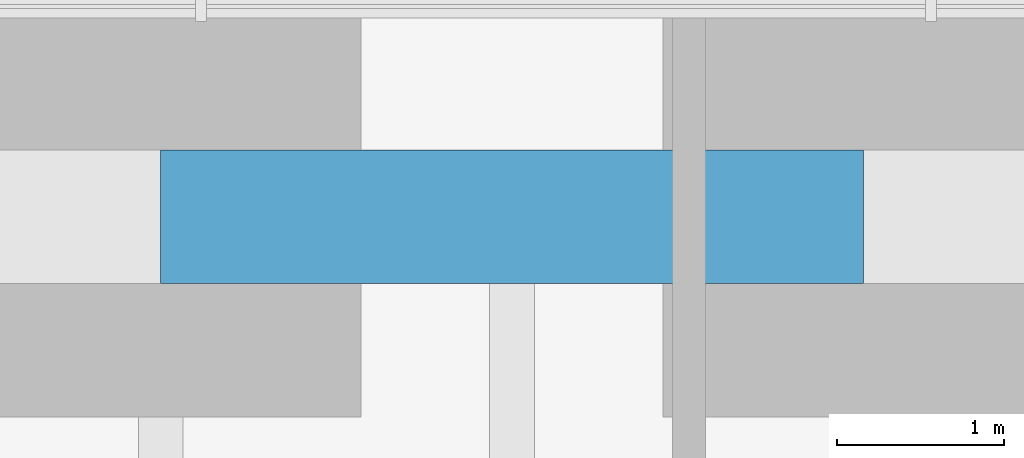
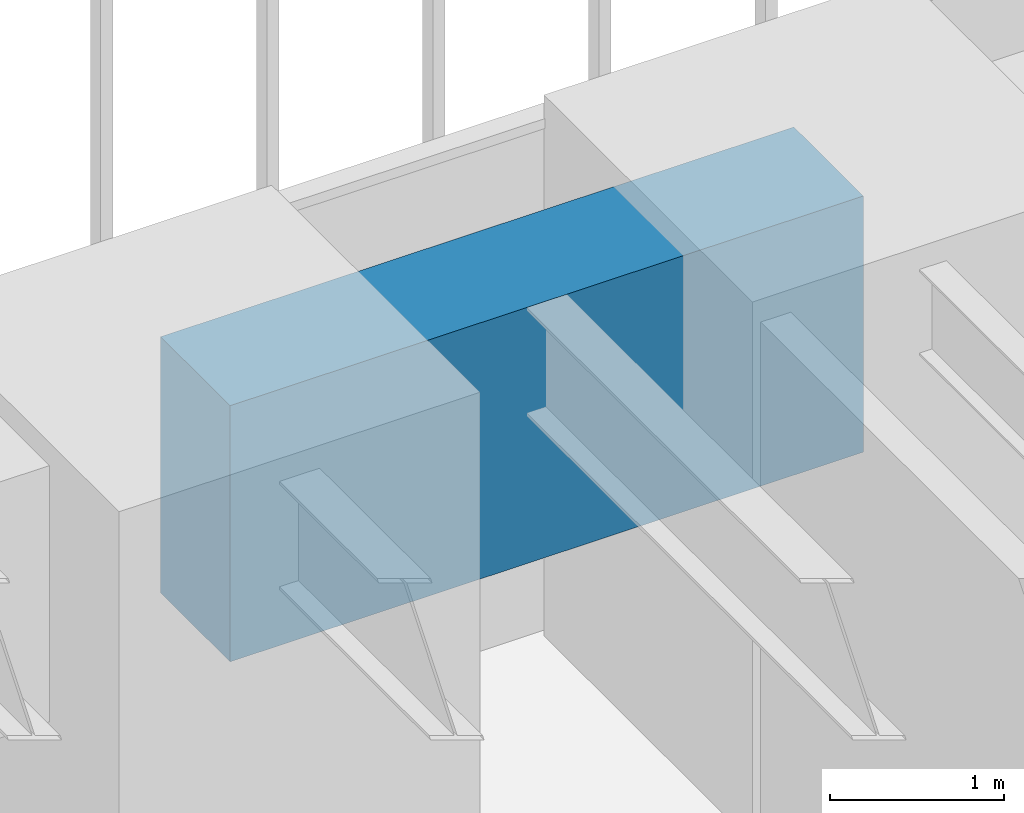
# One storey, part 218 of 256: 1 beam.
"""IFC4 building model written with IfcOpenShell, lengths in metres."""

from ifc_helpers import new_model, si_unit, direction, frame, origin, origin_2d, place, context, subcontext, project, spatial, rectangle, extrude, material, material_profile, profile_set, type_object, element, save


model = new_model("IFC4")

# Units and contexts
model_context = context("Model", 3, precision=1e-05, world=origin(), true_north=direction((0.0, 1.0)))
body_context = subcontext(model_context, "Body", "Model", "MODEL_VIEW")
ifc_project = project(units=[si_unit("LENGTHUNIT", "METRE"), si_unit("AREAUNIT", "SQUARE_METRE"), si_unit("VOLUMEUNIT", "CUBIC_METRE"), si_unit("PLANEANGLEUNIT", "RADIAN"), si_unit("MASSUNIT", "GRAM", prefix="KILO")], contexts=[model_context])

# Site, building, storey
site_placement = place(None, origin())
site = spatial("IfcSite", under=ifc_project, at=site_placement, CompositionType="ELEMENT")
building_placement = place(site_placement, origin())
building = spatial("IfcBuilding", under=site, at=building_placement, Name="Sandreach Pilgrim Tower", CompositionType="ELEMENT")
storey_placement = place(building_placement, frame((0.0, 0.0, 23.0)))
storey = spatial("IfcBuildingStorey", under=building, at=storey_placement, Name="L04", CompositionType="ELEMENT", Elevation=23.0)

# Beam
ifc_material = material(Name="Concrete 10000 psi", Category="concrete")
ifc_material_profile = material_profile(ifc_material, rectangle(XDim=0.800048828125, YDim=1.800048828125, at=origin_2d()), Name="RC800X1800")
ifc_profile_set = profile_set([ifc_material_profile], Name="Concrete 10000 psi")
beam_type = type_object("IfcBeamType", Name="Spandrel beam RC800X1800", PredefinedType="SPANDREL", material=ifc_profile_set)
beam_placement = place(storey_placement, frame((6.31494140625, 22.688720703125, 2.739990234375), z_axis=(1.0, 0.0, 0.0), x_axis=(0.0, 1.0, 0.0)))
element("IfcBeam", 1, at=beam_placement, inside=storey, type_object=beam_type, Name="BM L04 SP06", PredefinedType="SPANDREL", context=body_context, shape_type="SweptSolid", body=[
    extrude(rectangle(XDim=0.800048828125, YDim=1.800048828125, at=origin_2d()), origin(), (0.0, 0.0, 1.0), 4.2099609375),
])

save(model, "model.ifc")
